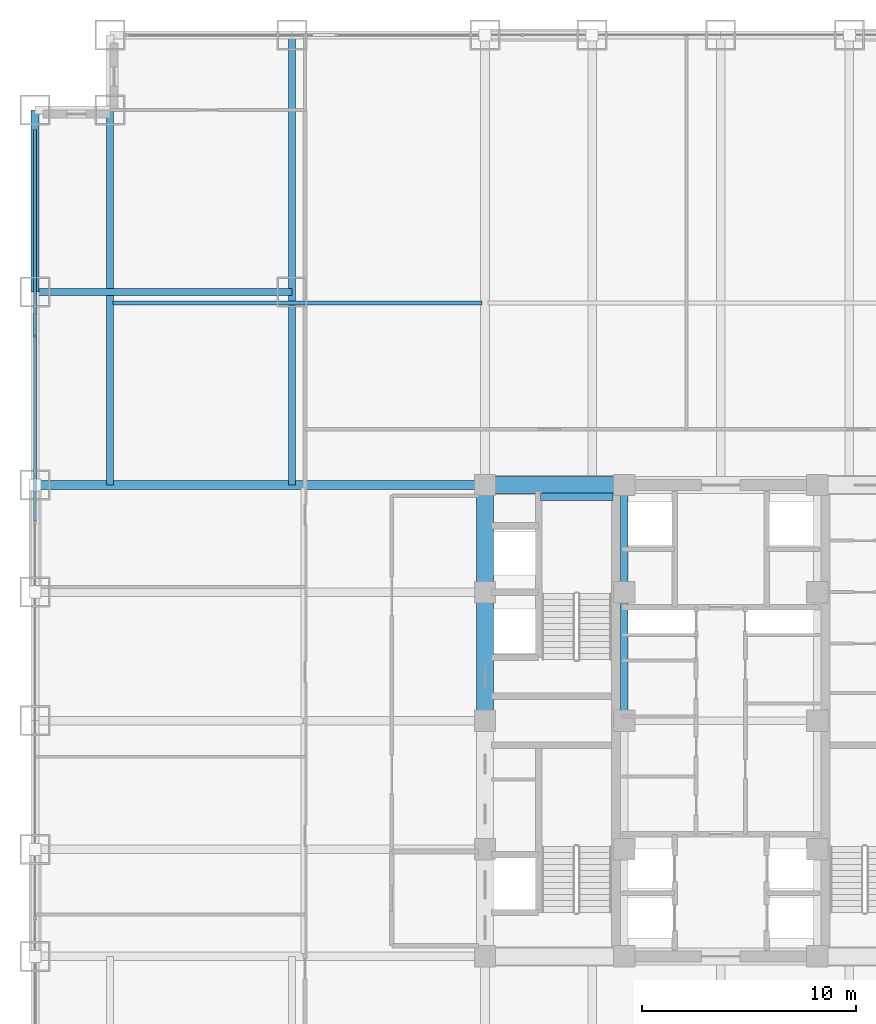
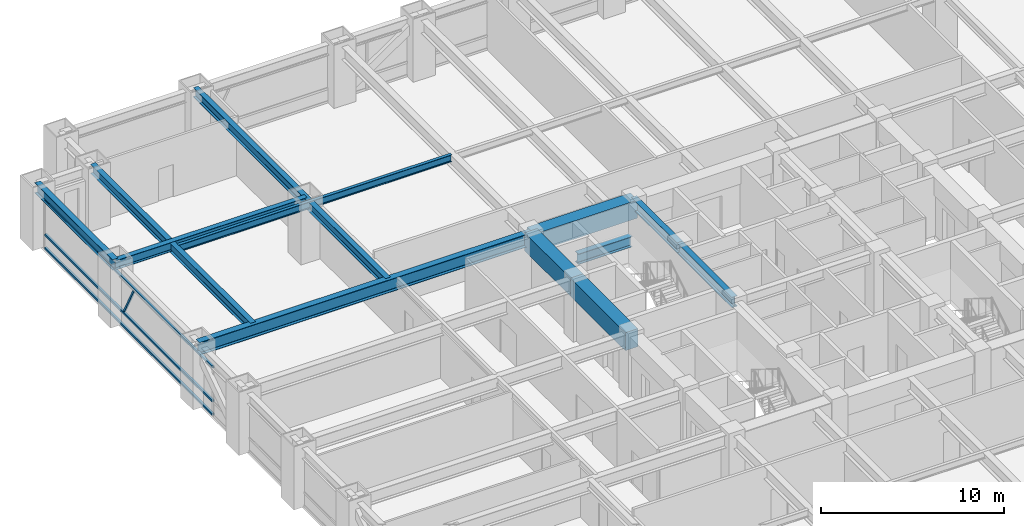
# One storey, part 13 of 28: 12 beams, 4 members, 1 element without a shape of its own.
"""IFC4 building model written with IfcOpenShell, lengths in metres."""

from ifc_helpers import new_model, si_unit, direction, frame, origin, origin_2d, place, context, subcontext, project, spatial, rectangle, hollow_rectangle, i_section, extrude, source, transform, mapped, material, material_profile, profile_set, type_object, element, aggregate, save


model = new_model("IFC4")

# Units and contexts
model_context = context("Model", 3, precision=1e-05, world=origin(), true_north=direction((0.0, 1.0)))
body_context = subcontext(model_context, "Body", "Model", "MODEL_VIEW")
ifc_project = project(units=[si_unit("LENGTHUNIT", "METRE"), si_unit("AREAUNIT", "SQUARE_METRE"), si_unit("VOLUMEUNIT", "CUBIC_METRE"), si_unit("PLANEANGLEUNIT", "RADIAN"), si_unit("MASSUNIT", "GRAM", prefix="KILO")], contexts=[model_context])

# Site, building, storey
site_placement = place(None, origin())
site = spatial("IfcSite", under=ifc_project, at=site_placement, CompositionType="ELEMENT")
building_placement = place(site_placement, origin())
building = spatial("IfcBuilding", under=site, at=building_placement, Name="Khorayat Bourse Tower", CompositionType="ELEMENT")
storey_placement = place(building_placement, frame((0.0, 0.0, 66.199951171875)))
storey = spatial("IfcBuildingStorey", under=building, at=storey_placement, Name="L14", CompositionType="ELEMENT", Elevation=66.199951171875)

# Beams
ifc_material_1 = material(Name="Concrete C72/90", Category="concrete")
ifc_material_profile_1 = material_profile(ifc_material_1, rectangle(XDim=0.800048828125, YDim=1.199951171875, at=origin_2d()), Name="RC 800x1200")
ifc_profile_set_1 = profile_set([ifc_material_profile_1], Name="Concrete C72/90")
beam_type_1 = type_object("IfcBeamType", Name="BM-COUP-1200", PredefinedType="BEAM", material=ifc_profile_set_1)
shared_shape_1 = source(origin(), body_context, "Body", "SweptSolid", [
    extrude(rectangle(XDim=0.800048828125, YDim=1.199951171875, at=origin_2d()), origin(), (0.0, 0.0, 1.0), 5.0),
])
beam_1_placement = place(storey_placement, frame((-11.0, 6.0, 3.340087890625), z_axis=(0.0, 1.0, 0.0), x_axis=(-1.0, 0.0, 0.0)))
element("IfcBeam", 1, at=beam_1_placement, inside=storey, type_object=beam_type_1, Name="L14 BM-COUP-1200 BM-L14-CRX-04", PredefinedType="BEAM", context=body_context, shape_type="MappedRepresentation", body=[
    mapped(shared_shape_1, transform((0.0, 0.0, 0.0), scale=1.0)),
])
shared_shape_2 = source(origin(), body_context, "Body", "SweptSolid", [
    extrude(rectangle(XDim=0.800048828125, YDim=1.199951171875, at=origin_2d()), origin(), (0.0, 0.0, 1.0), 6.0),
])
beam_2_placement = place(storey_placement, frame((-11.0, 0.0, 3.340087890625), z_axis=(0.0, 1.0, 0.0), x_axis=(-1.0, 0.0, 0.0)))
element("IfcBeam", 2, at=beam_2_placement, inside=storey, type_object=beam_type_1, Name="L14 BM-COUP-1200 BM-L14-CRX-03", PredefinedType="BEAM", context=body_context, shape_type="MappedRepresentation", body=[
    mapped(shared_shape_2, transform((0.0, 0.0, 0.0), scale=1.0)),
])
ifc_material_2 = material(Name="Steel ASTM A992 Grade 50", Category="steel")
ifc_material_profile_2 = material_profile(ifc_material_2, i_section(OverallWidth=0.35498046875, OverallDepth=0.695068359375, WebThickness=0.015380859375, FlangeThickness=0.02490234375, FilletRadius=0.01806640625, at=origin_2d()), Name="W690X217")
ifc_profile_set_2 = profile_set([ifc_material_profile_2], Name="Steel ASTM A992 Grade 50")
beam_type_2 = type_object("IfcBeamType", Name="BM-GIRD-690", PredefinedType="BEAM", material=ifc_profile_set_2)
shared_shape_3 = source(origin(), body_context, "Body", "SweptSolid", [
    extrude(i_section(OverallWidth=0.35498046875, OverallDepth=0.695068359375, WebThickness=0.015380859375, FlangeThickness=0.02490234375, FilletRadius=0.01806640625, at=origin_2d()), origin(), (0.0, 0.0, 1.0), 5.0),
])
beam_3_placement = place(storey_placement, frame((-4.5, 6.0, 3.592529296875), z_axis=(0.0, 1.0, 0.0), x_axis=(-1.0, 0.0, 0.0)))
element("IfcBeam", 3, at=beam_3_placement, inside=storey, type_object=beam_type_2, Name="L14 BM-GIRD-690 BM-L14-CRX-08", PredefinedType="BEAM", context=body_context, shape_type="MappedRepresentation", body=[
    mapped(shared_shape_3, transform((0.0, 0.0, 0.0), scale=1.0)),
])
shared_shape_4 = source(origin(), body_context, "Body", "SweptSolid", [
    extrude(i_section(OverallWidth=0.35498046875, OverallDepth=0.695068359375, WebThickness=0.015380859375, FlangeThickness=0.02490234375, FilletRadius=0.01806640625, at=origin_2d()), origin(), (0.0, 0.0, 1.0), 6.0),
])
beam_4_placement = place(storey_placement, frame((-4.5, 0.0, 3.592529296875), z_axis=(0.0, 1.0, 0.0), x_axis=(-1.0, 0.0, 0.0)))
element("IfcBeam", 4, at=beam_4_placement, inside=storey, type_object=beam_type_2, Name="L14 BM-GIRD-690 BM-L14-CRX-07", PredefinedType="BEAM", context=body_context, shape_type="MappedRepresentation", body=[
    mapped(shared_shape_4, transform((0.0, 0.0, 0.0), scale=1.0)),
])
shared_shape_5 = source(origin(), body_context, "Body", "SweptSolid", [
    extrude(rectangle(XDim=0.800048828125, YDim=1.199951171875, at=origin_2d()), origin(), (0.0, 0.0, 1.0), 6.5),
])
beam_5_placement = place(storey_placement, frame((-11.0, 11.0, 3.340087890625), z_axis=(1.0, 0.0, 0.0), x_axis=(0.0, 1.0, 0.0)))
element("IfcBeam", 5, at=beam_5_placement, inside=storey, type_object=beam_type_1, Name="L14 BM-COUP-1200 BM-L14-CRY-20", PredefinedType="BEAM", context=body_context, shape_type="MappedRepresentation", body=[
    mapped(shared_shape_5, transform((0.0, 0.0, 0.0), scale=1.0)),
])
shared_shape_6 = source(origin(), body_context, "Body", "SweptSolid", [
    extrude(i_section(OverallWidth=0.35498046875, OverallDepth=0.695068359375, WebThickness=0.015380859375, FlangeThickness=0.02490234375, FilletRadius=0.01806640625, at=origin_2d()), origin(), (0.0, 0.0, 1.0), 3.39990234375),
])
beam_6_placement = place(storey_placement, frame((-8.419921875, 10.449951171875, 1.552490234375), z_axis=(1.0, 0.0, 0.0), x_axis=(0.0, 1.0, 0.0)))
element("IfcBeam", 6, at=beam_6_placement, inside=storey, type_object=beam_type_2, Name="L14 BM-GIRD-690 BM-L14-ST2L", PredefinedType="BEAM", context=body_context, shape_type="MappedRepresentation", body=[
    mapped(shared_shape_6, transform((0.0, 0.0, 0.0), scale=1.0)),
])
ifc_material_profile_3 = material_profile(ifc_material_2, i_section(OverallWidth=0.35498046875, OverallDepth=0.695068359375, WebThickness=0.015380859375, FlangeThickness=0.02490234375, FilletRadius=0.01806640625, at=origin_2d()), Name="W690X217")
ifc_profile_set_3 = profile_set([ifc_material_profile_3], Name="Steel ASTM A992 Grade 50")
beam_type_3 = type_object("IfcBeamType", Name="BM-SPAN-690", PredefinedType="SPANDREL", material=ifc_profile_set_3)
shared_shape_7 = source(origin(), body_context, "Body", "SweptSolid", [
    extrude(i_section(OverallWidth=0.35498046875, OverallDepth=0.695068359375, WebThickness=0.015380859375, FlangeThickness=0.02490234375, FilletRadius=0.01806640625, at=origin_2d()), origin(), (0.0, 0.0, 1.0), 8.5),
])
beam_7_placement = place(storey_placement, frame((-32.0, 20.0, 3.592529296875), z_axis=(0.0, 1.0, 0.0), x_axis=(-1.0, 0.0, 0.0)))
element("IfcBeam", 7, at=beam_7_placement, inside=storey, type_object=beam_type_3, Name="L14 BM-SPAN-690 BM-L14-SPN-054", PredefinedType="SPANDREL", context=body_context, shape_type="MappedRepresentation", body=[
    mapped(shared_shape_7, transform((0.0, 0.0, 0.0), scale=1.0)),
])
ifc_material_profile_4 = material_profile(ifc_material_2, i_section(OverallWidth=0.39990234375, OverallDepth=0.85498046875, WebThickness=0.018310546875, FlangeThickness=0.029296875, FilletRadius=0.02001953125, at=origin_2d()), Name="W840X299")
ifc_profile_set_4 = profile_set([ifc_material_profile_4], Name="Steel ASTM A992 Grade 50")
beam_type_4 = type_object("IfcBeamType", Name="BM-GIRD-840", PredefinedType="BEAM", material=ifc_profile_set_4)
shared_shape_8 = source(origin(), body_context, "Body", "SweptSolid", [
    extrude(i_section(OverallWidth=0.39990234375, OverallDepth=0.85498046875, WebThickness=0.018310546875, FlangeThickness=0.029296875, FilletRadius=0.02001953125, at=origin_2d()), origin(), (0.0, 0.0, 1.0), 21.0),
])
beam_8_placement = place(storey_placement, frame((-32.0, 11.0, 3.512451171875), z_axis=(1.0, 0.0, 0.0), x_axis=(0.0, 1.0, 0.0)))
element("IfcBeam", 8, at=beam_8_placement, inside=storey, type_object=beam_type_4, Name="L14 BM-GIRD-840 BM-L14-RADX-083", PredefinedType="BEAM", context=body_context, shape_type="MappedRepresentation", body=[
    mapped(shared_shape_8, transform((0.0, 0.0, 0.0), scale=1.0)),
])
ifc_material_profile_5 = material_profile(ifc_material_2, i_section(OverallWidth=0.324951171875, OverallDepth=0.615966796875, WebThickness=0.013916015625, FlangeThickness=0.021484375, FilletRadius=0.01611328125, at=origin_2d()), Name="W610X174")
ifc_profile_set_5 = profile_set([ifc_material_profile_5], Name="Steel ASTM A992 Grade 50")
beam_type_5 = type_object("IfcBeamType", Name="BM-GIRD-610", PredefinedType="BEAM", material=ifc_profile_set_5)
shared_shape_9 = source(origin(), body_context, "Body", "SweptSolid", [
    extrude(i_section(OverallWidth=0.324951171875, OverallDepth=0.615966796875, WebThickness=0.013916015625, FlangeThickness=0.021484375, FilletRadius=0.01611328125, at=origin_2d()), origin(), (0.0, 0.0, 1.0), 21.0),
])
beam_9_placement = place(storey_placement, frame((-20.0, 11.0, 3.632080078125), z_axis=(0.0, 1.0, 0.0), x_axis=(-1.0, 0.0, 0.0)))
element("IfcBeam", 9, at=beam_9_placement, inside=storey, type_object=beam_type_5, Name="L14 BM-GIRD-610 BM-L14-CNRY-085", PredefinedType="BEAM", context=body_context, shape_type="MappedRepresentation", body=[
    mapped(shared_shape_9, transform((0.0, 0.0, 0.0), scale=1.0)),
])
shared_shape_10 = source(origin(), body_context, "Body", "SweptSolid", [
    extrude(i_section(OverallWidth=0.324951171875, OverallDepth=0.615966796875, WebThickness=0.013916015625, FlangeThickness=0.021484375, FilletRadius=0.01611328125, at=origin_2d()), origin(), (0.0, 0.0, 1.0), 17.5),
])
beam_10_placement = place(storey_placement, frame((-28.5, 11.0, 3.632080078125), z_axis=(0.0, 1.0, 0.0), x_axis=(-1.0, 0.0, 0.0)))
element("IfcBeam", 10, at=beam_10_placement, inside=storey, type_object=beam_type_5, Name="L14 BM-GIRD-610 BM-L14-CNRY-089", PredefinedType="BEAM", context=body_context, shape_type="MappedRepresentation", body=[
    mapped(shared_shape_10, transform((0.0, 0.0, 0.0), scale=1.0)),
])
shared_shape_11 = source(origin(), body_context, "Body", "SweptSolid", [
    extrude(i_section(OverallWidth=0.324951171875, OverallDepth=0.615966796875, WebThickness=0.013916015625, FlangeThickness=0.021484375, FilletRadius=0.01611328125, at=origin_2d()), origin(), (0.0, 0.0, 1.0), 12.0),
])
beam_11_placement = place(storey_placement, frame((-32.0, 20.0, 3.632080078125), z_axis=(1.0, 0.0, 0.0), x_axis=(0.0, 1.0, 0.0)))
element("IfcBeam", 11, at=beam_11_placement, inside=storey, type_object=beam_type_5, Name="L14 BM-GIRD-610 BM-L14-CNRX-095", PredefinedType="BEAM", context=body_context, shape_type="MappedRepresentation", body=[
    mapped(shared_shape_11, transform((0.0, 0.0, 0.0), scale=1.0)),
])
ifc_material_profile_6 = material_profile(ifc_material_2, i_section(OverallWidth=0.194091796875, OverallDepth=0.468994140625, WebThickness=0.0126953125, FlangeThickness=0.0205078125, FilletRadius=0.012939453125, at=origin_2d()), Name="W460X106")
ifc_profile_set_6 = profile_set([ifc_material_profile_6], Name="Steel ASTM A992 Grade 50")
beam_type_6 = type_object("IfcBeamType", Name="BM-JOIST-460", PredefinedType="JOIST", material=ifc_profile_set_6)
shared_shape_12 = source(origin(), body_context, "Body", "SweptSolid", [
    extrude(i_section(OverallWidth=0.194091796875, OverallDepth=0.468994140625, WebThickness=0.0126953125, FlangeThickness=0.0205078125, FilletRadius=0.012939453125, at=origin_2d()), origin(), (0.0, 0.0, 1.0), 17.240234375),
])
beam_12_placement = place(storey_placement, frame((-28.3701171875, 19.5, 3.70556640625), z_axis=(1.0, 0.0, 0.0), x_axis=(0.0, 1.0, 0.0)))
element("IfcBeam", 12, at=beam_12_placement, inside=storey, type_object=beam_type_6, Name="L14 BM-JOIST-460 BM-L14-JSTX-099", PredefinedType="JOIST", context=body_context, shape_type="MappedRepresentation", body=[
    mapped(shared_shape_12, transform((0.0, 0.0, 0.0), scale=1.0)),
])

# Curtain wall, members
ifc_material_3 = material(Name="Aluminium EN AW-6063 T6", Category="aluminium")
curtain_wall_type = type_object("IfcCurtainWallType", Name="CW-SYS-02", PredefinedType="NOTDEFINED", material=ifc_material_3)
curtain_wall_placement = place(storey_placement, origin())
curtain_wall = element("IfcCurtainWall", 13, at=curtain_wall_placement, inside=storey, type_object=curtain_wall_type, Name="L14 Curtain Wall CW-L14-W1", PredefinedType="NOTDEFINED")
ifc_material_profile_7 = material_profile(ifc_material_3, hollow_rectangle(XDim=0.139892578125, YDim=0.139892578125, WallThickness=0.006103515625, at=origin_2d()), Name="ALU 140x140x6")
ifc_profile_set_7 = profile_set([ifc_material_profile_7], Name="Aluminium EN AW-6063 T6")
member_type_1 = type_object("IfcMemberType", Name="CWT-HORZ-140", PredefinedType="USERDEFINED", material=ifc_profile_set_7)
shared_shape_13 = source(origin(), body_context, "Body", "SweptSolid", [
    extrude(hollow_rectangle(XDim=0.139892578125, YDim=0.139892578125, WallThickness=0.006103515625, at=origin_2d()), origin(), (0.0, 0.0, 1.0), 18.2900390625),
])
member_1_placement = place(storey_placement, frame((-32.0, 9.320068359375, 0.070068359375), z_axis=(0.0, 1.0, 0.0), x_axis=(-1.0, 0.0, 0.0)))
member_1 = element("IfcMember", 14, at=member_1_placement, type_object=member_type_1, Name="CW-L14-W1 Horizontal Transom 3-1", ObjectType="TRANSOM", PredefinedType="USERDEFINED", context=body_context, shape_type="MappedRepresentation", body=[
    mapped(shared_shape_13, transform((0.0, 0.0, 0.0), scale=1.0)),
])
member_2_placement = place(storey_placement, frame((-32.0, 9.320068359375, 0.949951171875), z_axis=(0.0, 1.0, 0.0), x_axis=(-1.0, 0.0, 0.0)))
member_2 = element("IfcMember", 15, at=member_2_placement, type_object=member_type_1, Name="CW-L14-W1 Horizontal Transom 3-2", ObjectType="TRANSOM", PredefinedType="USERDEFINED", context=body_context, shape_type="MappedRepresentation", body=[
    mapped(shared_shape_13, transform((0.0, 0.0, 0.0), scale=1.0)),
])
member_3_placement = place(storey_placement, frame((-32.0, 9.320068359375, 3.219970703125), z_axis=(0.0, 1.0, 0.0), x_axis=(-1.0, 0.0, 0.0)))
member_3 = element("IfcMember", 16, at=member_3_placement, type_object=member_type_1, Name="CW-L14-W1 Horizontal Transom 3-3", ObjectType="TRANSOM", PredefinedType="USERDEFINED", context=body_context, shape_type="MappedRepresentation", body=[
    mapped(shared_shape_13, transform((0.0, 0.0, 0.0), scale=1.0)),
])
ifc_material_profile_8 = material_profile(ifc_material_3, hollow_rectangle(XDim=0.1201171875, YDim=0.1201171875, WallThickness=0.0048828125, at=origin_2d()), Name="ALU 120x120x5")
ifc_profile_set_8 = profile_set([ifc_material_profile_8], Name="Aluminium EN AW-6063 T6")
member_type_2 = type_object("IfcMemberType", Name="CWM-DIAG-120", PredefinedType="MULLION", material=ifc_profile_set_8)
shared_shape_14 = source(origin(), body_context, "Body", "SweptSolid", [
    extrude(hollow_rectangle(XDim=0.1201171875, YDim=0.1201171875, WallThickness=0.0048828125, at=origin_2d()), origin(), (0.0, 0.0, 1.0), 2.22607421875),
])
member_4_placement = place(storey_placement, frame((-32.0, 18.9833984375, 1.10009765625), z_axis=(0.0, -0.465759992596, 0.884911085532), x_axis=(1.0, 0.0, 0.0)))
member_4 = element("IfcMember", 17, at=member_4_placement, type_object=member_type_2, Name="CW-L14-W1 Faceted Diagonal Mullion 3", PredefinedType="MULLION", context=body_context, shape_type="MappedRepresentation", body=[
    mapped(shared_shape_14, transform((0.0, 0.0, 0.0), scale=1.0)),
])
aggregate(curtain_wall, [member_1, member_2, member_3, member_4])

save(model, "model.ifc")
